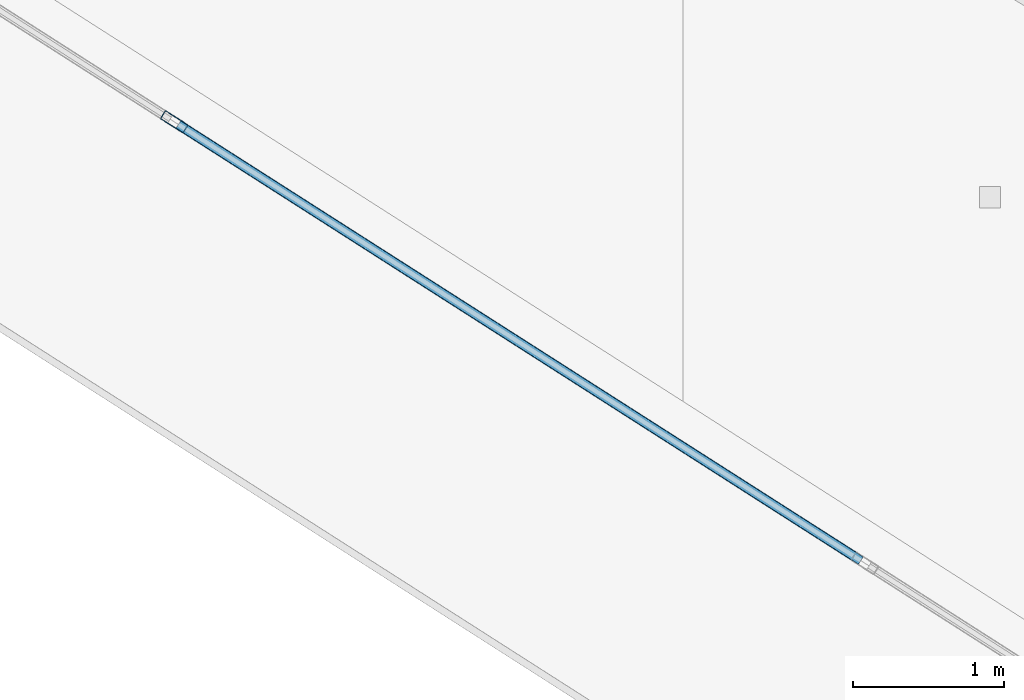
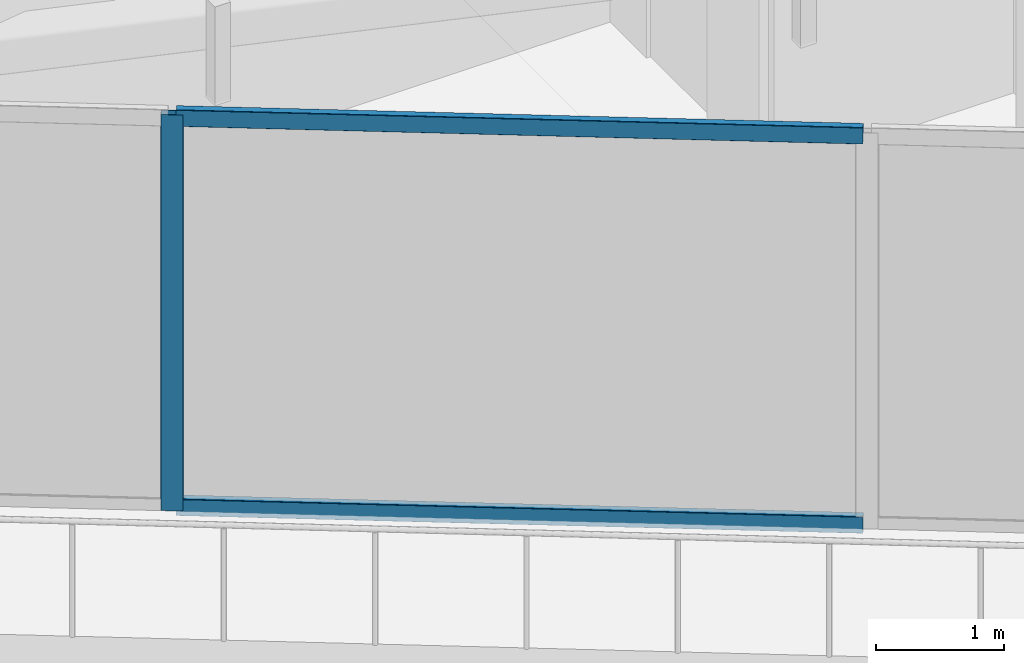
# One storey, part 5 of 45: 3 members, 1 element without a shape of its own.
"""IFC4 building model written with IfcOpenShell, lengths in metres."""

from ifc_helpers import new_model, si_unit, direction, frame, origin, origin_2d, place, context, subcontext, project, spatial, hollow_rectangle, extrude, material, layer, layer_set, material_profile, profile_set, type_object, element, aggregate, save


model = new_model("IFC4")

# Units and contexts
model_context = context("Model", 3, precision=1e-05, world=origin(), true_north=direction((0.0, 1.0)))
body_context = subcontext(model_context, "Body", "Model", "MODEL_VIEW")
ifc_project = project(units=[si_unit("LENGTHUNIT", "METRE"), si_unit("AREAUNIT", "SQUARE_METRE"), si_unit("VOLUMEUNIT", "CUBIC_METRE"), si_unit("PLANEANGLEUNIT", "RADIAN"), si_unit("MASSUNIT", "GRAM", prefix="KILO")], contexts=[model_context])

# Site, building, storey
site_placement = place(None, origin())
site = spatial("IfcSite", under=ifc_project, at=site_placement, CompositionType="ELEMENT")
building_placement = place(site_placement, origin())
building = spatial("IfcBuilding", under=site, at=building_placement, Name="Qorvath Tower", CompositionType="ELEMENT")
storey_placement = place(building_placement, frame((0.0, 0.0, 126.0)))
storey = spatial("IfcBuildingStorey", under=building, at=storey_placement, Name="L28", CompositionType="ELEMENT", Elevation=126.0)

# Curtain wall, members
ifc_material_1 = material(Name="Anodised aluminium and triple low-E glass", Category="aluminium")
ifc_layer = layer(ifc_material_1, 0.179931640625)
ifc_layer_set = layer_set([ifc_layer], Name="CW-SYS-2")
curtain_wall_type = type_object("IfcCurtainWallType", Name="CW-SYS-2", PredefinedType="NOTDEFINED", material=ifc_layer_set)
curtain_wall_placement = place(storey_placement, origin())
curtain_wall = element("IfcCurtainWall", 1, at=curtain_wall_placement, inside=storey, type_object=curtain_wall_type, Name="Curtain Wall CW-2 CW-T-L28-2.1", PredefinedType="NOTDEFINED")
ifc_material_2 = material(Name="Anodised aluminium 6063-T6", Category="aluminium")
ifc_material_profile_1 = material_profile(ifc_material_2, hollow_rectangle(XDim=0.06494140625, YDim=0.179931640625, WallThickness=0.00341796875, InnerFilletRadius=0.00341796875, OuterFilletRadius=0.007080078125, at=origin_2d()), Name="CWM 180x65")
ifc_profile_set_1 = profile_set([ifc_material_profile_1], Name="Anodised aluminium 6063-T6")
member_type_1 = type_object("IfcMemberType", Name="CWM-180", PredefinedType="MULLION", material=ifc_profile_set_1)
member_1_placement = place(storey_placement, frame((-44.173095703125, -12.614990234375, 0.0), z_axis=(0.0, 0.0, 1.0), x_axis=(0.538534177075, 0.842603667285, 0.0)))
member_1 = element("IfcMember", 2, at=member_1_placement, type_object=member_type_1, Name="CW-2 mullion 4", PredefinedType="MULLION", context=body_context, shape_type="SweptSolid", body=[
    extrude(hollow_rectangle(XDim=0.06494140625, YDim=0.179931640625, WallThickness=0.00341796875, InnerFilletRadius=0.00341796875, OuterFilletRadius=0.007080078125, at=origin_2d()), origin(), (0.0, 0.0, 1.0), 3.77001953125),
])
ifc_material_3 = material(Name="Anodised aluminium 6063-T6", Category="aluminium")
ifc_material_profile_2 = material_profile(ifc_material_3, hollow_rectangle(XDim=0.06494140625, YDim=0.159912109375, WallThickness=0.00341796875, InnerFilletRadius=0.00341796875, OuterFilletRadius=0.007080078125, at=origin_2d()), Name="CWT 160x65")
ifc_profile_set_2 = profile_set([ifc_material_profile_2], Name="Anodised aluminium 6063-T6")
member_type_2 = type_object("IfcMemberType", Name="CWT-160", PredefinedType="USERDEFINED", material=ifc_profile_set_2)
member_2_placement = place(storey_placement, frame((-44.145751953125, -12.632568359375, 0.032470703125), z_axis=(0.842621067422, -0.538506951428, 0.0), x_axis=(0.538506951428, 0.842621067422, 0.0)))
member_2 = element("IfcMember", 3, at=member_2_placement, type_object=member_type_2, Name="CW-2 transom 4.1", ObjectType="TRANSOM", PredefinedType="USERDEFINED", context=body_context, shape_type="SweptSolid", body=[
    extrude(hollow_rectangle(XDim=0.06494140625, YDim=0.159912109375, WallThickness=0.00341796875, InnerFilletRadius=0.00341796875, OuterFilletRadius=0.007080078125, at=origin_2d()), origin(), (0.0, 0.0, 1.0), 5.361083984375),
])
member_3_placement = place(storey_placement, frame((-44.145751953125, -12.632568359375, 3.737548828125), z_axis=(0.842621067422, -0.538506951428, 0.0), x_axis=(0.538506951428, 0.842621067422, 0.0)))
member_3 = element("IfcMember", 4, at=member_3_placement, type_object=member_type_2, Name="CW-2 transom 4.2", ObjectType="TRANSOM", PredefinedType="USERDEFINED", context=body_context, shape_type="SweptSolid", body=[
    extrude(hollow_rectangle(XDim=0.06494140625, YDim=0.159912109375, WallThickness=0.00341796875, InnerFilletRadius=0.00341796875, OuterFilletRadius=0.007080078125, at=origin_2d()), origin(), (0.0, 0.0, 1.0), 5.361083984375),
])
aggregate(curtain_wall, [member_1, member_2, member_3])

save(model, "model.ifc")
